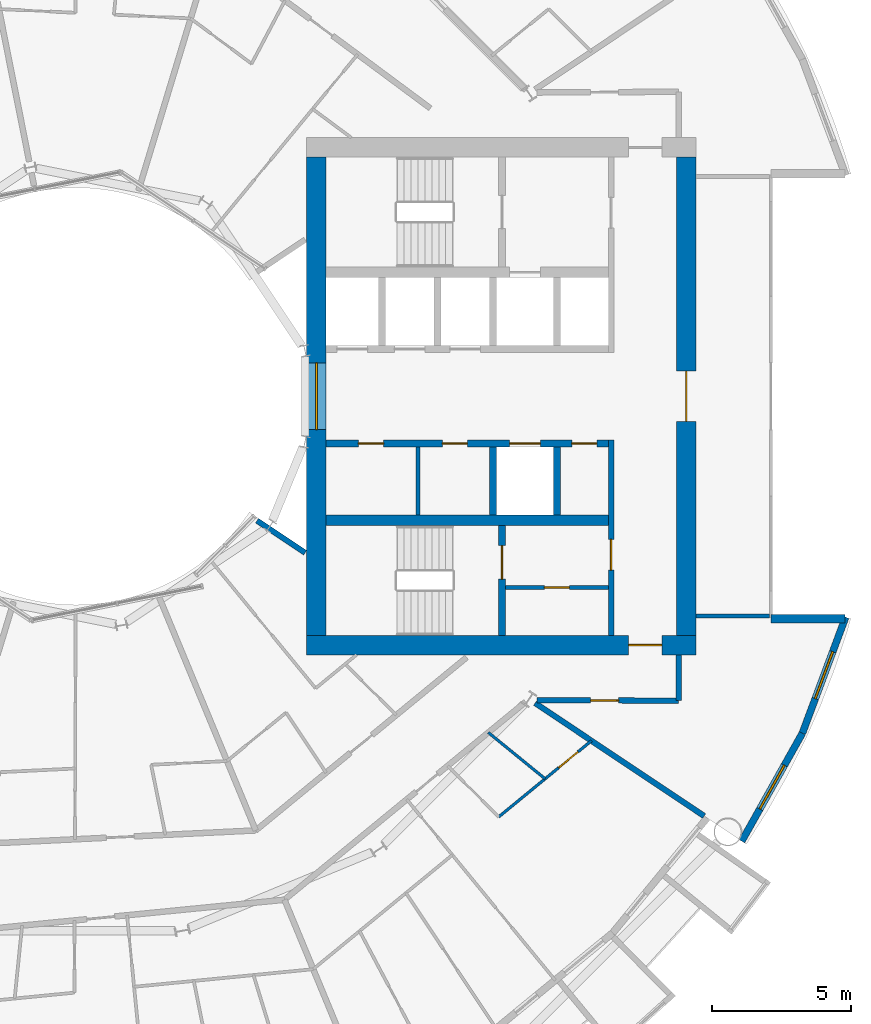
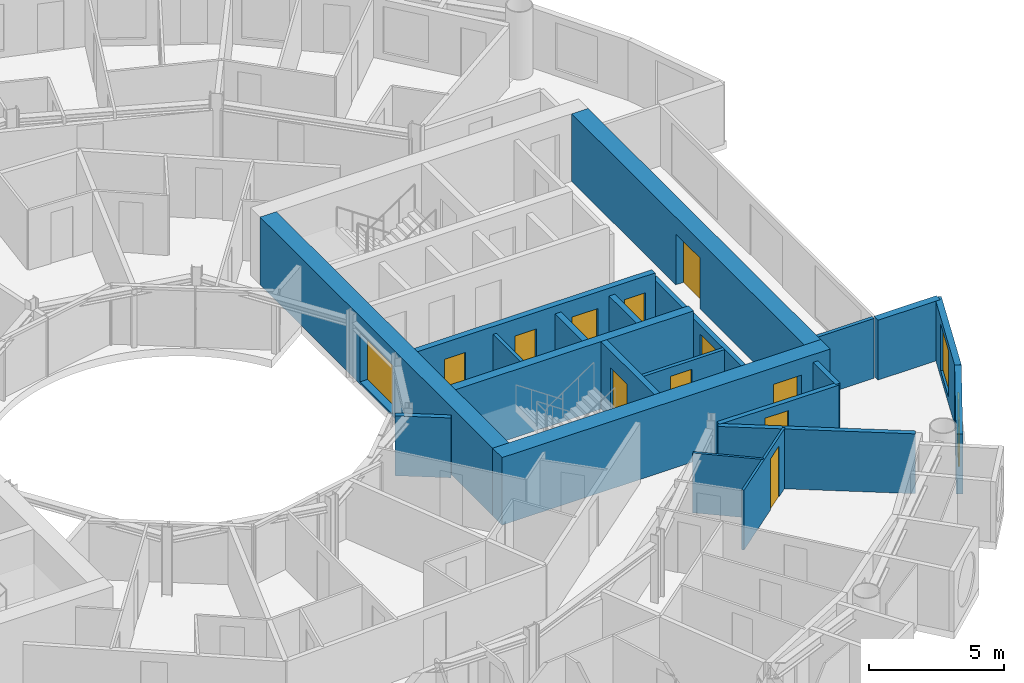
# One storey, part 17 of 26: 21 walls, 11 doors, 3 windows, 14 openings.
"""IFC4 building model written with IfcOpenShell, lengths in metres."""

from ifc_helpers import new_model, si_unit, direction, frame, frame_2d, origin, place, context, subcontext, project, spatial, rectangle, extrude, material, layer, layer_set, type_object, element, fill, save


model = new_model("IFC4")

# Units and contexts
model_context = context("Model", 3, precision=1e-05, world=origin(), true_north=direction((0.0, 1.0)))
body_context = subcontext(model_context, "Body", "Model", "MODEL_VIEW")
ifc_project = project(units=[si_unit("LENGTHUNIT", "METRE"), si_unit("AREAUNIT", "SQUARE_METRE"), si_unit("VOLUMEUNIT", "CUBIC_METRE"), si_unit("PLANEANGLEUNIT", "RADIAN"), si_unit("MASSUNIT", "GRAM", prefix="KILO")], contexts=[model_context])

# Site, building, storey
site_placement = place(None, origin())
site = spatial("IfcSite", under=ifc_project, at=site_placement, CompositionType="ELEMENT")
building_placement = place(site_placement, origin())
building = spatial("IfcBuilding", under=site, at=building_placement, Name="Maasbend Ring Residences", CompositionType="ELEMENT")
storey_placement = place(building_placement, frame((0.0, 0.0, 63.60009765625)))
storey = spatial("IfcBuildingStorey", under=building, at=storey_placement, Name="L17", CompositionType="ELEMENT", Elevation=63.60009765625)

# Wall, openings, doors
ifc_material_1 = material(Name="Concrete C70/85", Category="concrete")
ifc_layer_1 = layer(ifc_material_1, 0.25)
ifc_layer_set_1 = layer_set([ifc_layer_1], Name="Concrete C70/85")
wall_type_1 = type_object("IfcWallType", Name="CORE WALL 250 C70/85", PredefinedType="SHEAR", material=ifc_layer_set_1)
wall_1_placement = place(storey_placement, frame((19.14990234375, -1.699951171875, 0.0), z_axis=(0.0, 0.0, 1.0), x_axis=(-1.0, 0.0, 0.0)))
wall_1 = element("IfcWall", 1, at=wall_1_placement, inside=storey, type_object=wall_type_1, Name="L17 core E wall SPS", PredefinedType="SHEAR", context=body_context, shape_type="SweptSolid", body=[
    extrude(rectangle(XDim=10.14990234375, YDim=0.25, at=frame_2d((5.074951171875, 0.0))), origin(), (0.0, 0.0, 1.0), 3.0498046875),
])
opening_1_placement = place(wall_1_placement, frame((2.449951171875, 0.0, 0.0)))
opening_1 = element("IfcOpeningElement", 2, at=opening_1_placement, cuts=wall_1, Name="Opening LD-E1705", PredefinedType="OPENING", context=body_context, shape_type="SweptSolid", body=[
    extrude(rectangle(XDim=1.10009765625, YDim=2.300048828125, at=frame_2d((0.550048828125, 1.14990234375))), frame((0.0, 0.135009765625, 0.0), z_axis=(0.0, -1.0, 0.0), x_axis=(1.0, 0.0, 0.0)), (0.0, 0.0, 1.0), 0.27001953125),
])
opening_2_placement = place(wall_1_placement, frame((8.08740234375, 0.0, 0.0)))
opening_2 = element("IfcOpeningElement", 3, at=opening_2_placement, cuts=wall_1, Name="Opening D-E1706", PredefinedType="OPENING", context=body_context, shape_type="SweptSolid", body=[
    extrude(rectangle(XDim=0.89990234375, YDim=2.300048828125, at=frame_2d((0.449951171875, 1.14990234375))), frame((0.0, 0.135009765625, 0.0), z_axis=(0.0, -1.0, 0.0), x_axis=(1.0, 0.0, 0.0)), (0.0, 0.0, 1.0), 0.27001953125),
])
opening_3_placement = place(wall_1_placement, frame((5.074951171875, 0.0, 0.0)))
opening_3 = element("IfcOpeningElement", 4, at=opening_3_placement, cuts=wall_1, Name="Opening D-E1707", PredefinedType="OPENING", context=body_context, shape_type="SweptSolid", body=[
    extrude(rectangle(XDim=0.89990234375, YDim=2.300048828125, at=frame_2d((0.449951171875, 1.14990234375))), frame((0.0, 0.135009765625, 0.0), z_axis=(0.0, -1.0, 0.0), x_axis=(1.0, 0.0, 0.0)), (0.0, 0.0, 1.0), 0.27001953125),
])
opening_4_placement = place(wall_1_placement, frame((0.41259765625, 0.0, 0.0)))
opening_4 = element("IfcOpeningElement", 5, at=opening_4_placement, cuts=wall_1, Name="Opening D-E1708", PredefinedType="OPENING", context=body_context, shape_type="SweptSolid", body=[
    extrude(rectangle(XDim=0.89990234375, YDim=2.300048828125, at=frame_2d((0.449951171875, 1.14990234375))), frame((0.0, 0.135009765625, 0.0), z_axis=(0.0, -1.0, 0.0), x_axis=(1.0, 0.0, 0.0)), (0.0, 0.0, 1.0), 0.27001953125),
])
ifc_material_2 = material(Name="Stainless steel 316", Category="steel")
door_type_1 = type_object("IfcDoorType", Name="LANDING DOOR 1100 X 2300 FD60", OperationType="DOUBLE_DOOR_SLIDING", PredefinedType="DOOR", material=ifc_material_2)
door_1_placement = place(opening_1_placement, origin())
door_1 = element("IfcDoor", 6, at=door_1_placement, inside=storey, type_object=door_type_1, Name="Landing door SV-E L17", OperationType="DOUBLE_DOOR_SLIDING", OverallHeight=2.300048828125, OverallWidth=1.10009765625, PredefinedType="DOOR", context=body_context, shape_type="SweptSolid", body=[
    extrude(rectangle(XDim=1.10009765625, YDim=2.300048828125, at=frame_2d((0.550048828125, 1.14990234375))), frame((0.0, 0.02490234375, 0.0), z_axis=(0.0, -1.0, 0.0), x_axis=(1.0, 0.0, 0.0)), (0.0, 0.0, 1.0), 0.050048828125),
])
fill(opening_1, door_1)
ifc_material_3 = material(Name="Steel, powder coated", Category="steel")
door_type_2 = type_object("IfcDoorType", Name="ROOM DOOR 900 X 2300 FD30S", OperationType="NOTDEFINED", PredefinedType="DOOR", material=ifc_material_3)
door_2_placement = place(opening_2_placement, origin())
door_2 = element("IfcDoor", 7, at=door_2_placement, inside=storey, type_object=door_type_2, Name="Room door L17", OperationType="SINGLE_SWING_LEFT", OverallHeight=2.300048828125, OverallWidth=0.89990234375, PredefinedType="DOOR", context=body_context, shape_type="SweptSolid", body=[
    extrude(rectangle(XDim=0.89990234375, YDim=2.300048828125, at=frame_2d((0.449951171875, 1.14990234375))), frame((0.0, 0.02490234375, 0.0), z_axis=(0.0, -1.0, 0.0), x_axis=(1.0, 0.0, 0.0)), (0.0, 0.0, 1.0), 0.050048828125),
])
fill(opening_2, door_2)
door_3_placement = place(opening_3_placement, origin())
door_3 = element("IfcDoor", 8, at=door_3_placement, inside=storey, type_object=door_type_2, Name="Room door L17", OperationType="SINGLE_SWING_LEFT", OverallHeight=2.300048828125, OverallWidth=0.89990234375, PredefinedType="DOOR", context=body_context, shape_type="SweptSolid", body=[
    extrude(rectangle(XDim=0.89990234375, YDim=2.300048828125, at=frame_2d((0.449951171875, 1.14990234375))), frame((0.0, 0.02490234375, 0.0), z_axis=(0.0, -1.0, 0.0), x_axis=(1.0, 0.0, 0.0)), (0.0, 0.0, 1.0), 0.050048828125),
])
fill(opening_3, door_3)
door_4_placement = place(opening_4_placement, origin())
door_4 = element("IfcDoor", 9, at=door_4_placement, inside=storey, type_object=door_type_2, Name="Room door L17", OperationType="SINGLE_SWING_RIGHT", OverallHeight=2.300048828125, OverallWidth=0.89990234375, PredefinedType="DOOR", context=body_context, shape_type="SweptSolid", body=[
    extrude(rectangle(XDim=0.89990234375, YDim=2.300048828125, at=frame_2d((0.449951171875, 1.14990234375))), frame((0.0, 0.02490234375, 0.0), z_axis=(0.0, -1.0, 0.0), x_axis=(1.0, 0.0, 0.0)), (0.0, 0.0, 1.0), 0.050048828125),
])
fill(opening_4, door_4)

# Wall, opening, door
wall_2_placement = place(storey_placement, frame((15.324951171875, -8.60009765625, 0.0), z_axis=(0.0, 0.0, 1.0), x_axis=(0.0, 1.0, 0.0)))
wall_2 = element("IfcWall", 10, at=wall_2_placement, inside=storey, type_object=wall_type_1, Name="L17 core E wall STES", PredefinedType="SHEAR", context=body_context, shape_type="SweptSolid", body=[
    extrude(rectangle(XDim=3.9501953125, YDim=0.25, at=frame_2d((1.97509765625, 0.0))), origin(), (0.0, 0.0, 1.0), 3.0498046875),
])
opening_5_placement = place(wall_2_placement, frame((2.02490234375, 0.0, 0.0)))
opening_5 = element("IfcOpeningElement", 11, at=opening_5_placement, cuts=wall_2, Name="Opening D-E1711", PredefinedType="OPENING", context=body_context, shape_type="SweptSolid", body=[
    extrude(rectangle(XDim=1.199951171875, YDim=2.300048828125, at=frame_2d((0.60009765625, 1.14990234375))), frame((0.0, 0.135009765625, 0.0), z_axis=(0.0, -1.0, 0.0), x_axis=(1.0, 0.0, 0.0)), (0.0, 0.0, 1.0), 0.27001953125),
])
ifc_material_4 = material(Name="Steel, powder coated", Category="steel")
door_type_3 = type_object("IfcDoorType", Name="STAIR DOOR 1200 X 2300 FD60", OperationType="NOTDEFINED", PredefinedType="DOOR", material=ifc_material_4)
door_5_placement = place(opening_5_placement, origin())
door_5 = element("IfcDoor", 12, at=door_5_placement, inside=storey, type_object=door_type_3, Name="Stair door ST-E L17", OperationType="SINGLE_SWING_LEFT", OverallHeight=2.300048828125, OverallWidth=1.199951171875, PredefinedType="DOOR", context=body_context, shape_type="SweptSolid", body=[
    extrude(rectangle(XDim=1.199951171875, YDim=2.300048828125, at=frame_2d((0.60009765625, 1.14990234375))), frame((0.0, 0.02490234375, 0.0), z_axis=(0.0, -1.0, 0.0), x_axis=(1.0, 0.0, 0.0)), (0.0, 0.0, 1.0), 0.050048828125),
])
fill(opening_5, door_5)

# Wall
ifc_material_5 = material(Name="Concrete C70/85", Category="concrete")
ifc_layer_2 = layer(ifc_material_5, 0.375)
ifc_layer_set_2 = layer_set([ifc_layer_2], Name="Concrete C70/85")
wall_type_2 = type_object("IfcWallType", Name="CORE WALL 375 C70/85", PredefinedType="SHEAR", material=ifc_layer_set_2)
wall_3_placement = place(storey_placement, frame((9.0, -4.46240234375, 0.0), z_axis=(0.0, 0.0, 1.0), x_axis=(1.0, 0.0, 0.0)))
element("IfcWall", 13, at=wall_3_placement, inside=storey, type_object=wall_type_2, Name="L17 core E wall BS", PredefinedType="SHEAR", context=body_context, shape_type="SweptSolid", body=[
    extrude(rectangle(XDim=10.14990234375, YDim=0.375, at=frame_2d((5.074951171875, 0.0))), origin(), (0.0, 0.0, 1.0), 3.0498046875),
])

# Wall, opening, door
ifc_material_6 = material(Name="Concrete C70/85", Category="concrete")
ifc_layer_3 = layer(ifc_material_6, 0.699951171875)
ifc_layer_set_3 = layer_set([ifc_layer_3], Name="Concrete C70/85")
wall_type_3 = type_object("IfcWallType", Name="CORE WALL 700 C70/85", PredefinedType="SHEAR", material=ifc_layer_set_3)
wall_4_placement = place(storey_placement, frame((8.300048828125, -8.949951171875, 0.0), z_axis=(0.0, 0.0, 1.0), x_axis=(1.0, 0.0, 0.0)))
wall_4 = element("IfcWall", 14, at=wall_4_placement, inside=storey, type_object=wall_type_3, Name="L17 core E wall PS", PredefinedType="SHEAR", context=body_context, shape_type="SweptSolid", body=[
    extrude(rectangle(XDim=14.0, YDim=0.699951171875, at=frame_2d((7.0, 0.0))), origin(), (0.0, 0.0, 1.0), 3.0498046875),
])
opening_6_placement = place(wall_4_placement, frame((11.574951171875, 0.0, 0.0)))
opening_6 = element("IfcOpeningElement", 15, at=opening_6_placement, cuts=wall_4, Name="Opening D-E1715", PredefinedType="OPENING", context=body_context, shape_type="SweptSolid", body=[
    extrude(rectangle(XDim=1.199951171875, YDim=2.300048828125, at=frame_2d((0.60009765625, 1.14990234375))), frame((0.0, 0.35986328125, 0.0), z_axis=(0.0, -1.0, 0.0), x_axis=(1.0, 0.0, 0.0)), (0.0, 0.0, 1.0), 0.719970703125),
])
ifc_material_7 = material(Name="Steel, powder coated", Category="steel")
door_type_4 = type_object("IfcDoorType", Name="CORRIDOR DOOR 1200 X 2300 FD30S", OperationType="NOTDEFINED", PredefinedType="DOOR", material=ifc_material_7)
door_6_placement = place(opening_6_placement, origin())
door_6 = element("IfcDoor", 16, at=door_6_placement, inside=storey, type_object=door_type_4, Name="Corridor door L17", OperationType="SINGLE_SWING_LEFT", OverallHeight=2.300048828125, OverallWidth=1.199951171875, PredefinedType="DOOR", context=body_context, shape_type="SweptSolid", body=[
    extrude(rectangle(XDim=1.199951171875, YDim=2.300048828125, at=frame_2d((0.60009765625, 1.14990234375))), frame((0.0, 0.02490234375, 0.0), z_axis=(0.0, -1.0, 0.0), x_axis=(1.0, 0.0, 0.0)), (0.0, 0.0, 1.0), 0.050048828125),
])
fill(opening_6, door_6)

wall_5_placement = place(storey_placement, frame((21.949951171875, 8.60009765625, 0.0), z_axis=(0.0, 0.0, 1.0), x_axis=(0.0, -1.0, 0.0)))
wall_5 = element("IfcWall", 17, at=wall_5_placement, inside=storey, type_object=wall_type_3, Name="L17 core E wall POUT", PredefinedType="SHEAR", context=body_context, shape_type="SweptSolid", body=[
    extrude(rectangle(XDim=17.2001953125, YDim=0.699951171875, at=frame_2d((8.60009765625, 0.0))), origin(), (0.0, 0.0, 1.0), 3.0498046875),
])
opening_7_placement = place(wall_5_placement, frame((7.699951171875, 0.0, 0.0)))
opening_7 = element("IfcOpeningElement", 18, at=opening_7_placement, cuts=wall_5, Name="Opening D-E1716", PredefinedType="OPENING", context=body_context, shape_type="SweptSolid", body=[
    extrude(rectangle(XDim=1.800048828125, YDim=2.300048828125, at=frame_2d((0.89990234375, 1.14990234375))), frame((0.0, 0.35986328125, 0.0), z_axis=(0.0, -1.0, 0.0), x_axis=(1.0, 0.0, 0.0)), (0.0, 0.0, 1.0), 0.719970703125),
])
ifc_material_8 = material(Name="Aluminium frame, clear glass", Category="aluminium")
door_type_5 = type_object("IfcDoorType", Name="ENTRANCE DOOR 1800 X 2300 FD60", OperationType="NOTDEFINED", PredefinedType="DOOR", material=ifc_material_8)
door_7_placement = place(opening_7_placement, origin())
door_7 = element("IfcDoor", 19, at=door_7_placement, inside=storey, type_object=door_type_5, Name="Lobby glazed door L17", OperationType="SINGLE_SWING_LEFT", OverallHeight=2.300048828125, OverallWidth=1.800048828125, PredefinedType="DOOR", context=body_context, shape_type="SweptSolid", body=[
    extrude(rectangle(XDim=1.800048828125, YDim=2.300048828125, at=frame_2d((0.89990234375, 1.14990234375))), frame((0.0, 0.02490234375, 0.0), z_axis=(0.0, -1.0, 0.0), x_axis=(1.0, 0.0, 0.0)), (0.0, 0.0, 1.0), 0.050048828125),
])
fill(opening_7, door_7)

# Wall, opening, window
wall_6_placement = place(storey_placement, frame((8.64990234375, -8.60009765625, 0.0), z_axis=(0.0, 0.0, 1.0), x_axis=(0.0, 1.0, 0.0)))
wall_6 = element("IfcWall", 20, at=wall_6_placement, inside=storey, type_object=wall_type_3, Name="L17 core E wall PIN", PredefinedType="SHEAR", context=body_context, shape_type="SweptSolid", body=[
    extrude(rectangle(XDim=17.2001953125, YDim=0.699951171875, at=frame_2d((8.60009765625, 0.0))), origin(), (0.0, 0.0, 1.0), 3.0498046875),
])
opening_8_placement = place(wall_6_placement, frame((7.39990234375, 0.0, 0.10009765625)))
opening_8 = element("IfcOpeningElement", 21, at=opening_8_placement, cuts=wall_6, Name="Opening W-E1701", PredefinedType="OPENING", context=body_context, shape_type="SweptSolid", body=[
    extrude(rectangle(XDim=2.39990234375, YDim=2.199951171875, at=frame_2d((1.199951171875, 1.10009765625))), frame((0.0, 0.35986328125, 0.0), z_axis=(0.0, -1.0, 0.0), x_axis=(1.0, 0.0, 0.0)), (0.0, 0.0, 1.0), 0.719970703125),
])
ifc_material_9 = material(Name="Aluminium frame and clear glass", Category="aluminium")
window_type_1 = type_object("IfcWindowType", Name="FIXED WINDOW 2400 X 2200", PartitioningType="SINGLE_PANEL", PredefinedType="WINDOW", material=ifc_material_9)
window_1_placement = place(opening_8_placement, origin())
window_1 = element("IfcWindow", 22, at=window_1_placement, inside=storey, type_object=window_type_1, Name="Lobby window L17", OverallHeight=2.199951171875, OverallWidth=2.39990234375, PartitioningType="SINGLE_PANEL", PredefinedType="WINDOW", context=body_context, shape_type="SweptSolid", body=[
    extrude(rectangle(XDim=2.39990234375, YDim=2.199951171875, at=frame_2d((1.199951171875, 1.10009765625))), frame((0.0, 0.030029296875, 0.0), z_axis=(0.0, -1.0, 0.0), x_axis=(1.0, 0.0, 0.0)), (0.0, 0.0, 1.0), 0.06005859375),
])
fill(opening_8, window_1)

# Wall
ifc_material_10 = material(Name="Concrete C30/37", Category="concrete")
ifc_layer_4 = layer(ifc_material_10, 0.199951171875)
ifc_layer_set_4 = layer_set([ifc_layer_4], Name="Concrete C30/37")
wall_type_4 = type_object("IfcWallType", Name="CORRIDOR WALL 200 CONCRETE", PredefinedType="PARTITIONING", material=ifc_layer_set_4)
wall_7_placement = place(storey_placement, frame((21.675048828125, -10.949951171875, 0.0), z_axis=(0.0, 0.0, 1.0), x_axis=(0.0, 1.0, 0.0)))
element("IfcWall", 23, at=wall_7_placement, inside=storey, type_object=wall_type_4, Name="U-L17-w005", PredefinedType="PARTITIONING", context=body_context, shape_type="SweptSolid", body=[
    extrude(rectangle(XDim=1.64990234375, YDim=0.199951171875, at=frame_2d((0.824951171875, 0.0))), origin(), (0.0, 0.0, 1.0), 2.699951171875),
])

# Wall, opening, door
wall_8_placement = place(storey_placement, frame((16.5869140625, -10.926025390625, 0.0), z_axis=(0.0, 0.0, 1.0), x_axis=(0.999988944514, -0.004702217579, 0.0)))
wall_8 = element("IfcWall", 24, at=wall_8_placement, inside=storey, type_object=wall_type_4, Name="U-L17-w024", PredefinedType="PARTITIONING", context=body_context, shape_type="SweptSolid", body=[
    extrude(rectangle(XDim=5.088134765625, YDim=0.199951171875, at=frame_2d((2.5439453125, 0.0))), origin(), (0.0, 0.0, 1.0), 2.699951171875),
])
opening_9_placement = place(wall_8_placement, frame((1.927001953125, 0.0, 0.0)))
opening_9 = element("IfcOpeningElement", 25, at=opening_9_placement, cuts=wall_8, Name="Opening D-1772", PredefinedType="OPENING", context=body_context, shape_type="SweptSolid", body=[
    extrude(rectangle(XDim=1.0, YDim=2.300048828125, at=frame_2d((0.5, 1.14990234375))), frame((0.0, 0.10986328125, 0.0), z_axis=(0.0, -1.0, 0.0), x_axis=(1.0, 0.0, 0.0)), (0.0, 0.0, 1.0), 0.219970703125),
])
ifc_material_11 = material(Name="Timber, painted", Category="wood")
door_type_6 = type_object("IfcDoorType", Name="ROOM DOOR 1000 X 2300", OperationType="NOTDEFINED", PredefinedType="DOOR", material=ifc_material_11)
door_8_placement = place(opening_9_placement, origin())
door_8 = element("IfcDoor", 26, at=door_8_placement, inside=storey, type_object=door_type_6, Name="D-1772", OperationType="SINGLE_SWING_LEFT", OverallHeight=2.300048828125, OverallWidth=1.0, PredefinedType="DOOR", context=body_context, shape_type="SweptSolid", body=[
    extrude(rectangle(XDim=1.0, YDim=2.300048828125, at=frame_2d((0.5, 1.14990234375))), frame((0.0, 0.02490234375, 0.0), z_axis=(0.0, -1.0, 0.0), x_axis=(1.0, 0.0, 0.0)), (0.0, 0.0, 1.0), 0.050048828125),
])
fill(opening_9, door_8)

# Wall, opening, window
ifc_material_12 = material(Name="Aluminium clad insulated panel", Category="aluminium")
ifc_layer_5 = layer(ifc_material_12, 0.25)
ifc_layer_set_5 = layer_set([ifc_layer_5], Name="EW-HORN")
wall_type_5 = type_object("IfcWallType", Name="EW-HORN", PredefinedType="SOLIDWALL", material=ifc_layer_set_5)
wall_9_placement = place(storey_placement, frame((23.946044921875, -16.0, 0.0), z_axis=(0.0, 0.0, 1.0), x_axis=(0.489696356642, 0.871893042919, 0.0)))
wall_9 = element("IfcWall", 27, at=wall_9_placement, inside=storey, type_object=wall_type_5, Name="Horn wall 2.1", PredefinedType="SOLIDWALL", context=body_context, shape_type="SweptSolid", body=[
    extrude(rectangle(XDim=4.45361328125, YDim=0.25, at=frame_2d((2.226806640625, 0.0))), origin(), (0.0, 0.0, 1.0), 2.699951171875),
])
opening_10_placement = place(wall_9_placement, frame((1.32666015625, 0.0, 0.300048828125)))
opening_10 = element("IfcOpeningElement", 28, at=opening_10_placement, cuts=wall_9, Name="Opening W-BX", PredefinedType="OPENING", context=body_context, shape_type="SweptSolid", body=[
    extrude(rectangle(XDim=1.800048828125, YDim=2.10009765625, at=frame_2d((0.89990234375, 1.050048828125))), frame((0.0, 0.135009765625, 0.0), z_axis=(0.0, -1.0, 0.0), x_axis=(1.0, 0.0, 0.0)), (0.0, 0.0, 1.0), 0.27001953125),
])
ifc_material_13 = material(Name="Aluminium and clear glass", Category="aluminium")
window_type_2 = type_object("IfcWindowType", Name="W-BX", PartitioningType="DOUBLE_PANEL_VERTICAL", PredefinedType="WINDOW", material=ifc_material_13)
window_2_placement = place(opening_10_placement, origin())
window_2 = element("IfcWindow", 29, at=window_2_placement, inside=storey, type_object=window_type_2, Name="Horn window 2.1", OverallHeight=2.10009765625, OverallWidth=1.800048828125, PartitioningType="SINGLE_PANEL", PredefinedType="WINDOW", context=body_context, shape_type="SweptSolid", body=[
    extrude(rectangle(XDim=1.800048828125, YDim=2.10009765625, at=frame_2d((0.89990234375, 1.050048828125))), frame((0.0, 0.030029296875, 0.0), z_axis=(0.0, -1.0, 0.0), x_axis=(1.0, 0.0, 0.0)), (0.0, 0.0, 1.0), 0.06005859375),
])
fill(opening_10, window_2)

wall_10_placement = place(storey_placement, frame((26.126953125, -12.116943359375, 0.0), z_axis=(0.0, 0.0, 1.0), x_axis=(0.349247811493, 0.937030397675, 0.0)))
wall_10 = element("IfcWall", 30, at=wall_10_placement, inside=storey, type_object=wall_type_5, Name="Horn wall 2.2", PredefinedType="SOLIDWALL", context=body_context, shape_type="SweptSolid", body=[
    extrude(rectangle(XDim=4.4521484375, YDim=0.25, at=frame_2d((2.22607421875, 0.0))), origin(), (0.0, 0.0, 1.0), 2.699951171875),
])
opening_11_placement = place(wall_10_placement, frame((1.32666015625, 0.0, 0.300048828125)))
opening_11 = element("IfcOpeningElement", 31, at=opening_11_placement, cuts=wall_10, Name="Opening W-BX", PredefinedType="OPENING", context=body_context, shape_type="SweptSolid", body=[
    extrude(rectangle(XDim=1.800048828125, YDim=2.10009765625, at=frame_2d((0.89990234375, 1.050048828125))), frame((0.0, 0.135009765625, 0.0), z_axis=(0.0, -1.0, 0.0), x_axis=(1.0, 0.0, 0.0)), (0.0, 0.0, 1.0), 0.27001953125),
])
window_3_placement = place(opening_11_placement, origin())
window_3 = element("IfcWindow", 32, at=window_3_placement, inside=storey, type_object=window_type_2, Name="Horn window 2.2", OverallHeight=2.10009765625, OverallWidth=1.800048828125, PartitioningType="SINGLE_PANEL", PredefinedType="WINDOW", context=body_context, shape_type="SweptSolid", body=[
    extrude(rectangle(XDim=1.800048828125, YDim=2.10009765625, at=frame_2d((0.89990234375, 1.050048828125))), frame((0.0, 0.030029296875, 0.0), z_axis=(0.0, -1.0, 0.0), x_axis=(1.0, 0.0, 0.0)), (0.0, 0.0, 1.0), 0.06005859375),
])
fill(opening_11, window_3)

# Wall
ifc_material_14 = material(Name="Aluminium clad insulated panel", Category="aluminium")
ifc_layer_6 = layer(ifc_material_14, 0.300048828125)
ifc_layer_set_6 = layer_set([ifc_layer_6], Name="EW-RET")
wall_type_6 = type_object("IfcWallType", Name="EW-RET", PredefinedType="SOLIDWALL", material=ifc_layer_set_6)
wall_11_placement = place(storey_placement, frame((25.0, -8.0, 0.0), z_axis=(0.0, 0.0, 1.0), x_axis=(1.0, 0.0, 0.0)))
element("IfcWall", 33, at=wall_11_placement, inside=storey, type_object=wall_type_6, Name="Notch return wall east south", PredefinedType="SOLIDWALL", context=body_context, shape_type="SweptSolid", body=[
    extrude(rectangle(XDim=2.6669921875, YDim=0.300048828125, at=frame_2d((1.33349609375, 0.0))), origin(), (0.0, 0.0, 1.0), 2.699951171875),
])

# Wall, opening, door
ifc_material_15 = material(Name="Gypsum board on steel studs", Category="steel")
ifc_layer_7 = layer(ifc_material_15, 0.10009765625)
ifc_layer_set_7 = layer_set([ifc_layer_7], Name="PARTITION 100 GYPSUM")
wall_type_7 = type_object("IfcWallType", Name="PARTITION 100 GYPSUM", PredefinedType="PARTITIONING", material=ifc_layer_set_7)
wall_12_placement = place(storey_placement, frame((15.2060546875, -15.126953125, 0.0), z_axis=(0.0, 0.0, 1.0), x_axis=(0.772975913823, 0.634435368379, 0.0)))
wall_12 = element("IfcWall", 34, at=wall_12_placement, inside=storey, type_object=wall_type_7, Name="U-L17-w010", PredefinedType="PARTITIONING", context=body_context, shape_type="SweptSolid", body=[
    extrude(rectangle(XDim=4.315673828125, YDim=0.10009765625, at=frame_2d((2.15771484375, 0.0))), origin(), (0.0, 0.0, 1.0), 2.699951171875),
])
opening_12_placement = place(wall_12_placement, frame((2.787109375, 0.0, 0.0)))
opening_12 = element("IfcOpeningElement", 35, at=opening_12_placement, cuts=wall_12, Name="Opening D-1751", PredefinedType="OPENING", context=body_context, shape_type="SweptSolid", body=[
    extrude(rectangle(XDim=0.89990234375, YDim=2.300048828125, at=frame_2d((0.449951171875, 1.14990234375))), frame((0.0, 0.06005859375, 0.0), z_axis=(0.0, -1.0, 0.0), x_axis=(1.0, 0.0, 0.0)), (0.0, 0.0, 1.0), 0.1201171875),
])
ifc_material_16 = material(Name="Timber, painted", Category="wood")
door_type_7 = type_object("IfcDoorType", Name="INTERNAL DOOR 900 X 2300", OperationType="NOTDEFINED", PredefinedType="DOOR", material=ifc_material_16)
door_9_placement = place(opening_12_placement, origin())
door_9 = element("IfcDoor", 36, at=door_9_placement, inside=storey, type_object=door_type_7, Name="D-1751", OperationType="SINGLE_SWING_RIGHT", OverallHeight=2.300048828125, OverallWidth=0.89990234375, PredefinedType="DOOR", context=body_context, shape_type="SweptSolid", body=[
    extrude(rectangle(XDim=0.89990234375, YDim=2.300048828125, at=frame_2d((0.449951171875, 1.14990234375))), frame((0.0, 0.02490234375, 0.0), z_axis=(0.0, -1.0, 0.0), x_axis=(1.0, 0.0, 0.0)), (0.0, 0.0, 1.0), 0.050048828125),
])
fill(opening_12, door_9)

# Walls
wall_13_placement = place(storey_placement, frame((14.8310546875, -12.092041015625, 0.0), z_axis=(0.0, 0.0, 1.0), x_axis=(0.774979608522, -0.631986239072, 0.0)))
element("IfcWall", 37, at=wall_13_placement, inside=storey, type_object=wall_type_7, Name="U-L17-w085", PredefinedType="PARTITIONING", context=body_context, shape_type="SweptSolid", body=[
    extrude(rectangle(XDim=2.63623046875, YDim=0.10009765625, at=frame_2d((1.318115234375, 0.0))), origin(), (0.0, 0.0, 1.0), 2.699951171875),
])
ifc_material_17 = material(Name="Gypsum board on steel studs", Category="steel")
ifc_layer_8 = layer(ifc_material_17, 0.14990234375)
ifc_layer_set_8 = layer_set([ifc_layer_8], Name="PARTITION 150 EI 60")
wall_type_8 = type_object("IfcWallType", Name="PARTITION 150 EI 60", PredefinedType="PARTITIONING", material=ifc_layer_set_8)
wall_14_placement = place(storey_placement, frame((12.300048828125, -1.824951171875, 0.0), z_axis=(0.0, 0.0, 1.0), x_axis=(0.0, -1.0, 0.0)))
element("IfcWall", 38, at=wall_14_placement, inside=storey, type_object=wall_type_8, Name="L17 core E wall PRS1230", PredefinedType="PARTITIONING", context=body_context, shape_type="SweptSolid", body=[
    extrude(rectangle(XDim=2.449951171875, YDim=0.14990234375, at=frame_2d((1.22509765625, 0.0))), origin(), (0.0, 0.0, 1.0), 2.699951171875),
])

# Wall, opening, door
wall_15_placement = place(storey_placement, frame((15.449951171875, -6.875, 0.0), z_axis=(0.0, 0.0, 1.0), x_axis=(1.0, 0.0, 0.0)))
wall_15 = element("IfcWall", 39, at=wall_15_placement, inside=storey, type_object=wall_type_8, Name="L17 core E wall RHS", PredefinedType="PARTITIONING", context=body_context, shape_type="SweptSolid", body=[
    extrude(rectangle(XDim=3.699951171875, YDim=0.14990234375, at=frame_2d((1.85009765625, 0.0))), origin(), (0.0, 0.0, 1.0), 2.699951171875),
])
opening_13_placement = place(wall_15_placement, frame((1.39990234375, 0.0, 0.0)))
opening_13 = element("IfcOpeningElement", 40, at=opening_13_placement, cuts=wall_15, Name="Opening D-E1709", PredefinedType="OPENING", context=body_context, shape_type="SweptSolid", body=[
    extrude(rectangle(XDim=0.89990234375, YDim=2.300048828125, at=frame_2d((0.449951171875, 1.14990234375))), frame((0.0, 0.0849609375, 0.0), z_axis=(0.0, -1.0, 0.0), x_axis=(1.0, 0.0, 0.0)), (0.0, 0.0, 1.0), 0.169921875),
])
ifc_material_18 = material(Name="Steel, powder coated", Category="steel")
door_type_8 = type_object("IfcDoorType", Name="RISER DOOR 900 X 2300 FD60", OperationType="NOTDEFINED", PredefinedType="DOOR", material=ifc_material_18)
door_10_placement = place(opening_13_placement, origin())
door_10 = element("IfcDoor", 41, at=door_10_placement, inside=storey, type_object=door_type_8, Name="Riser door L17", OperationType="SINGLE_SWING_LEFT", OverallHeight=2.300048828125, OverallWidth=0.89990234375, PredefinedType="DOOR", context=body_context, shape_type="SweptSolid", body=[
    extrude(rectangle(XDim=0.89990234375, YDim=2.300048828125, at=frame_2d((0.449951171875, 1.14990234375))), frame((0.0, 0.02490234375, 0.0), z_axis=(0.0, -1.0, 0.0), x_axis=(1.0, 0.0, 0.0)), (0.0, 0.0, 1.0), 0.050048828125),
])
fill(opening_13, door_10)

# Walls
wall_16_placement = place(storey_placement, frame((22.300048828125, -7.89990234375, 0.0), z_axis=(0.0, 0.0, 1.0), x_axis=(1.0, 0.0, 0.0)))
element("IfcWall", 42, at=wall_16_placement, inside=storey, type_object=wall_type_8, Name="L17 core E wall CITS", PredefinedType="PARTITIONING", context=body_context, shape_type="SweptSolid", body=[
    extrude(rectangle(XDim=2.639892578125, YDim=0.14990234375, at=frame_2d((1.31982421875, 0.0))), origin(), (0.0, 0.0, 1.0), 2.699951171875),
])
ifc_material_19 = material(Name="Concrete C30/37", Category="concrete")
ifc_layer_9 = layer(ifc_material_19, 0.199951171875)
ifc_layer_set_9 = layer_set([ifc_layer_9], Name="Concrete C30/37")
wall_type_9 = type_object("IfcWallType", Name="PARTY WALL 200 CONCRETE", PredefinedType="PARTITIONING", material=ifc_layer_set_9)
wall_17_placement = place(storey_placement, frame((6.512939453125, -4.471923828125, 0.0), z_axis=(0.0, 0.0, 1.0), x_axis=(0.831382204863, -0.555701025225, 0.0)))
element("IfcWall", 43, at=wall_17_placement, inside=storey, type_object=wall_type_9, Name="U-L17-w027", PredefinedType="PARTITIONING", context=body_context, shape_type="SweptSolid", body=[
    extrude(rectangle(XDim=2.08203125, YDim=0.199951171875, at=frame_2d((1.041015625, 0.0))), origin(), (0.0, 0.0, 1.0), 2.699951171875),
])
wall_18_placement = place(storey_placement, frame((16.514892578125, -11.034912109375, 0.0), z_axis=(0.0, 0.0, 1.0), x_axis=(0.831505405283, -0.555516661303, 0.0)))
element("IfcWall", 44, at=wall_18_placement, inside=storey, type_object=wall_type_9, Name="U-L17-w088", PredefinedType="PARTITIONING", context=body_context, shape_type="SweptSolid", body=[
    extrude(rectangle(XDim=7.31201171875, YDim=0.199951171875, at=frame_2d((3.656005859375, 0.0))), origin(), (0.0, 0.0, 1.0), 2.699951171875),
])

# Wall, opening, door
ifc_material_20 = material(Name="Concrete C30/37", Category="concrete")
ifc_layer_10 = layer(ifc_material_20, 0.199951171875)
ifc_layer_set_10 = layer_set([ifc_layer_10], Name="Concrete C30/37")
wall_type_10 = type_object("IfcWallType", Name="SHAFT WALL 200 EI 120", PredefinedType="SOLIDWALL", material=ifc_layer_set_10)
wall_19_placement = place(storey_placement, frame((19.25, -8.60009765625, 0.0), z_axis=(0.0, 0.0, 1.0), x_axis=(0.0, 1.0, 0.0)))
wall_19 = element("IfcWall", 45, at=wall_19_placement, inside=storey, type_object=wall_type_10, Name="L17 core E wall ENDS", PredefinedType="SOLIDWALL", context=body_context, shape_type="SweptSolid", body=[
    extrude(rectangle(XDim=7.025146484375, YDim=0.199951171875, at=frame_2d((3.5126953125, 0.0))), origin(), (0.0, 0.0, 1.0), 2.699951171875),
])
opening_14_placement = place(wall_19_placement, frame((2.35009765625, 0.0, 0.0)))
opening_14 = element("IfcOpeningElement", 46, at=opening_14_placement, cuts=wall_19, Name="Opening D-E1713", PredefinedType="OPENING", context=body_context, shape_type="SweptSolid", body=[
    extrude(rectangle(XDim=1.10009765625, YDim=2.300048828125, at=frame_2d((0.550048828125, 1.14990234375))), frame((0.0, 0.10986328125, 0.0), z_axis=(0.0, -1.0, 0.0), x_axis=(1.0, 0.0, 0.0)), (0.0, 0.0, 1.0), 0.219970703125),
])
ifc_material_21 = material(Name="Steel, powder coated", Category="steel")
door_type_9 = type_object("IfcDoorType", Name="LOBBY DOOR 1100 X 2300 FD60", OperationType="NOTDEFINED", PredefinedType="DOOR", material=ifc_material_21)
door_11_placement = place(opening_14_placement, origin())
door_11 = element("IfcDoor", 47, at=door_11_placement, inside=storey, type_object=door_type_9, Name="Lobby door L17", OperationType="SINGLE_SWING_RIGHT", OverallHeight=2.300048828125, OverallWidth=1.10009765625, PredefinedType="DOOR", context=body_context, shape_type="SweptSolid", body=[
    extrude(rectangle(XDim=1.10009765625, YDim=2.300048828125, at=frame_2d((0.550048828125, 1.14990234375))), frame((0.0, 0.02490234375, 0.0), z_axis=(0.0, -1.0, 0.0), x_axis=(1.0, 0.0, 0.0)), (0.0, 0.0, 1.0), 0.050048828125),
])
fill(opening_14, door_11)

# Walls
ifc_material_22 = material(Name="Concrete C30/37", Category="concrete")
ifc_layer_11 = layer(ifc_material_22, 0.25)
ifc_layer_set_11 = layer_set([ifc_layer_11], Name="Concrete C30/37")
wall_type_11 = type_object("IfcWallType", Name="SHAFT WALL 250 EI 120", PredefinedType="SOLIDWALL", material=ifc_layer_set_11)
for number, where, z_axis, x_axis, name in (
    (48, (15.0, -1.824951171875, 0.0), (0.0, 0.0, 1.0), (0.0, -1.0, 0.0), "L17 core E wall D150S"),
    (49, (17.300048828125, -1.824951171875, 0.0), (0.0, 0.0, 1.0), (0.0, -1.0, 0.0), "L17 core E wall D173S"),
):
    element("IfcWall", number, at=place(storey_placement, frame(where, z_axis=z_axis, x_axis=x_axis)), inside=storey, type_object=wall_type_11, Name=name, PredefinedType="SOLIDWALL", context=body_context, shape_type="SweptSolid", body=[
        extrude(rectangle(XDim=2.449951171875, YDim=0.25, at=frame_2d((1.22509765625, 0.0))), origin(), (0.0, 0.0, 1.0), 2.699951171875),
    ])

save(model, "model.ifc")
